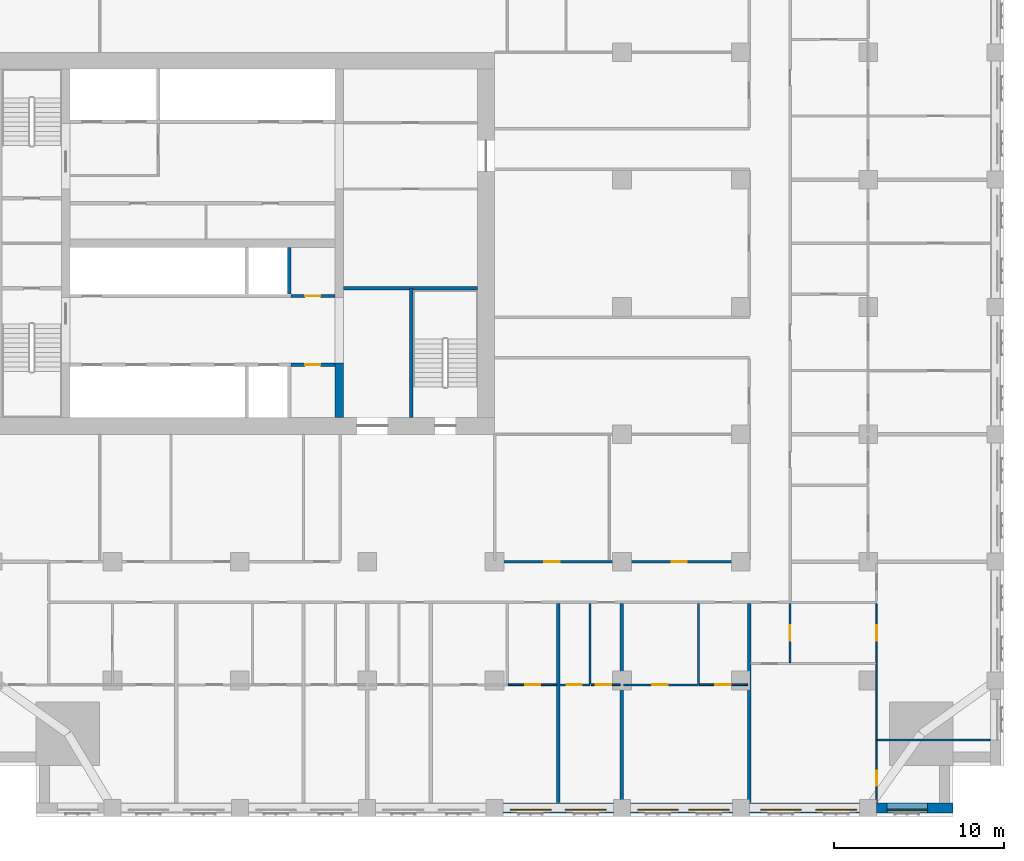
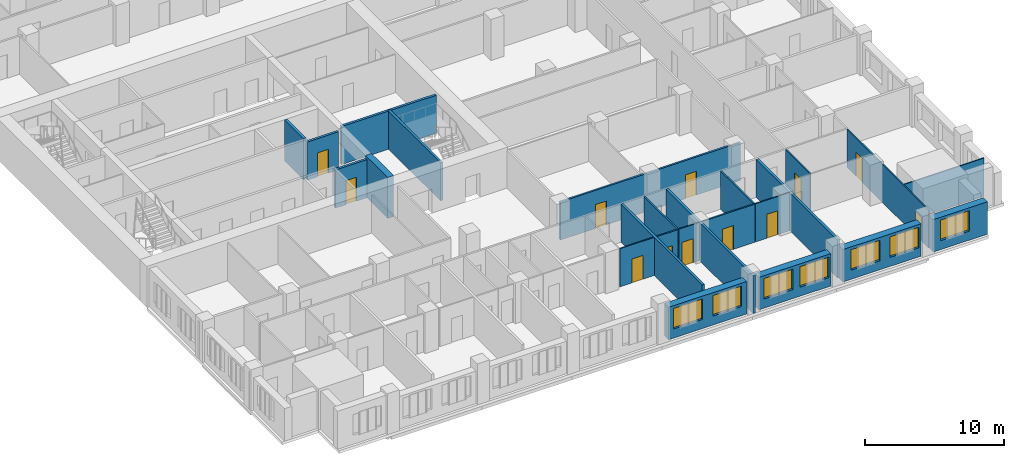
# One storey, part 6 of 14: 24 walls, 12 doors, 7 windows, 19 openings.
"""IFC4 building model written with IfcOpenShell, lengths in metres."""

from ifc_helpers import new_model, si_unit, direction, frame, frame_2d, origin, place, context, subcontext, project, spatial, rectangle, extrude, material, layer, layer_set, type_object, element, fill, save


model = new_model("IFC4")

# Units and contexts
model_context = context("Model", 3, precision=1e-05, world=origin(), true_north=direction((0.0, 1.0)))
body_context = subcontext(model_context, "Body", "Model", "MODEL_VIEW")
ifc_project = project(units=[si_unit("LENGTHUNIT", "METRE"), si_unit("AREAUNIT", "SQUARE_METRE"), si_unit("VOLUMEUNIT", "CUBIC_METRE"), si_unit("PLANEANGLEUNIT", "RADIAN"), si_unit("MASSUNIT", "GRAM", prefix="KILO")], contexts=[model_context])

# Site, building, storey
site_placement = place(None, origin())
site = spatial("IfcSite", under=ifc_project, at=site_placement, CompositionType="ELEMENT")
building_placement = place(site_placement, origin())
building = spatial("IfcBuilding", under=site, at=building_placement, Name="Tamorin Gate", CompositionType="ELEMENT")
storey_placement = place(building_placement, frame((0.0, 0.0, 89.89990234375)))
storey = spatial("IfcBuildingStorey", under=building, at=storey_placement, Name="L21", CompositionType="ELEMENT", Elevation=89.89990234375)

# Wall, openings, windows
ifc_material_1 = material(Name="Precast concrete C40/50", Category="concrete")
ifc_layer_1 = layer(ifc_material_1, 0.60009765625)
ifc_layer_set_1 = layer_set([ifc_layer_1], Name="Precast concrete C40/50")
wall_type_1 = type_object("IfcWallType", Name="Board-marked concrete facade panel 600", PredefinedType="SOLIDWALL", material=ifc_layer_set_1)
wall_1_placement = place(storey_placement, frame((60.5, 38.0, 0.0), z_axis=(0.0, 0.0, 1.0), x_axis=(1.0, 0.0, 0.0)))
wall_1 = element("IfcWall", 1, at=wall_1_placement, inside=storey, type_object=wall_type_1, Name="Facade panel", PredefinedType="SOLIDWALL", context=body_context, shape_type="SweptSolid", body=[
    extrude(rectangle(XDim=6.5, YDim=0.60009765625, at=frame_2d((3.25, 0.0))), origin(), (0.0, 0.0, 1.0), 2.85009765625),
])
opening_1_placement = place(wall_1_placement, frame((0.425048828125, 0.0, 0.800048828125)))
opening_1 = element("IfcOpeningElement", 2, at=opening_1_placement, cuts=wall_1, Name="Opening WN1", PredefinedType="OPENING", context=body_context, shape_type="SweptSolid", body=[
    extrude(rectangle(XDim=2.39990234375, YDim=1.800048828125, at=frame_2d((1.199951171875, 0.89990234375))), frame((0.0, 0.31005859375, 0.0), z_axis=(0.0, -1.0, 0.0), x_axis=(1.0, 0.0, 0.0)), (0.0, 0.0, 1.0), 0.6201171875),
])
opening_2_placement = place(wall_1_placement, frame((3.675048828125, 0.0, 0.800048828125)))
opening_2 = element("IfcOpeningElement", 3, at=opening_2_placement, cuts=wall_1, Name="Opening WN1", PredefinedType="OPENING", context=body_context, shape_type="SweptSolid", body=[
    extrude(rectangle(XDim=2.39990234375, YDim=1.800048828125, at=frame_2d((1.199951171875, 0.89990234375))), frame((0.0, 0.31005859375, 0.0), z_axis=(0.0, -1.0, 0.0), x_axis=(1.0, 0.0, 0.0)), (0.0, 0.0, 1.0), 0.6201171875),
])
ifc_material_2 = material(Name="Clear glass in aluminium frame", Category="aluminium")
window_type = type_object("IfcWindowType", Name="Deep-set window 2400x1800", PartitioningType="SINGLE_PANEL", PredefinedType="WINDOW", material=ifc_material_2)
window_1_placement = place(opening_1_placement, origin())
window_1 = element("IfcWindow", 4, at=window_1_placement, inside=storey, type_object=window_type, Name="Deep-set window", OverallHeight=1.800048828125, OverallWidth=2.39990234375, PartitioningType="SINGLE_PANEL", PredefinedType="WINDOW", context=body_context, shape_type="SweptSolid", body=[
    extrude(rectangle(XDim=2.39990234375, YDim=1.800048828125, at=frame_2d((1.199951171875, 0.89990234375))), frame((0.0, -0.070068359375, 0.0), z_axis=(0.0, -1.0, 0.0), x_axis=(1.0, 0.0, 0.0)), (0.0, 0.0, 1.0), 0.06005859375),
])
fill(opening_1, window_1)
window_2_placement = place(opening_2_placement, origin())
window_2 = element("IfcWindow", 5, at=window_2_placement, inside=storey, type_object=window_type, Name="Deep-set window", OverallHeight=1.800048828125, OverallWidth=2.39990234375, PartitioningType="SINGLE_PANEL", PredefinedType="WINDOW", context=body_context, shape_type="SweptSolid", body=[
    extrude(rectangle(XDim=2.39990234375, YDim=1.800048828125, at=frame_2d((1.199951171875, 0.89990234375))), frame((0.0, -0.070068359375, 0.0), z_axis=(0.0, -1.0, 0.0), x_axis=(1.0, 0.0, 0.0)), (0.0, 0.0, 1.0), 0.06005859375),
])
fill(opening_2, window_2)

wall_2_placement = place(storey_placement, frame((68.0, 38.0, 0.0), z_axis=(0.0, 0.0, 1.0), x_axis=(1.0, 0.0, 0.0)))
wall_2 = element("IfcWall", 6, at=wall_2_placement, inside=storey, type_object=wall_type_1, Name="Facade panel", PredefinedType="SOLIDWALL", context=body_context, shape_type="SweptSolid", body=[
    extrude(rectangle(XDim=6.0, YDim=0.60009765625, at=frame_2d((3.0, 0.0))), origin(), (0.0, 0.0, 1.0), 2.85009765625),
])
opening_3_placement = place(wall_2_placement, frame((0.425048828125, 0.0, 0.800048828125)))
opening_3 = element("IfcOpeningElement", 7, at=opening_3_placement, cuts=wall_2, Name="Opening WN1", PredefinedType="OPENING", context=body_context, shape_type="SweptSolid", body=[
    extrude(rectangle(XDim=2.39990234375, YDim=1.800048828125, at=frame_2d((1.199951171875, 0.89990234375))), frame((0.0, 0.31005859375, 0.0), z_axis=(0.0, -1.0, 0.0), x_axis=(1.0, 0.0, 0.0)), (0.0, 0.0, 1.0), 0.6201171875),
])
opening_4_placement = place(wall_2_placement, frame((3.425048828125, 0.0, 0.800048828125)))
opening_4 = element("IfcOpeningElement", 8, at=opening_4_placement, cuts=wall_2, Name="Opening WN1", PredefinedType="OPENING", context=body_context, shape_type="SweptSolid", body=[
    extrude(rectangle(XDim=2.39990234375, YDim=1.800048828125, at=frame_2d((1.199951171875, 0.89990234375))), frame((0.0, 0.31005859375, 0.0), z_axis=(0.0, -1.0, 0.0), x_axis=(1.0, 0.0, 0.0)), (0.0, 0.0, 1.0), 0.6201171875),
])
window_3_placement = place(opening_3_placement, origin())
window_3 = element("IfcWindow", 9, at=window_3_placement, inside=storey, type_object=window_type, Name="Deep-set window", OverallHeight=1.800048828125, OverallWidth=2.39990234375, PartitioningType="SINGLE_PANEL", PredefinedType="WINDOW", context=body_context, shape_type="SweptSolid", body=[
    extrude(rectangle(XDim=2.39990234375, YDim=1.800048828125, at=frame_2d((1.199951171875, 0.89990234375))), frame((0.0, -0.070068359375, 0.0), z_axis=(0.0, -1.0, 0.0), x_axis=(1.0, 0.0, 0.0)), (0.0, 0.0, 1.0), 0.06005859375),
])
fill(opening_3, window_3)
window_4_placement = place(opening_4_placement, origin())
window_4 = element("IfcWindow", 10, at=window_4_placement, inside=storey, type_object=window_type, Name="Deep-set window", OverallHeight=1.800048828125, OverallWidth=2.39990234375, PartitioningType="SINGLE_PANEL", PredefinedType="WINDOW", context=body_context, shape_type="SweptSolid", body=[
    extrude(rectangle(XDim=2.39990234375, YDim=1.800048828125, at=frame_2d((1.199951171875, 0.89990234375))), frame((0.0, -0.070068359375, 0.0), z_axis=(0.0, -1.0, 0.0), x_axis=(1.0, 0.0, 0.0)), (0.0, 0.0, 1.0), 0.06005859375),
])
fill(opening_4, window_4)

wall_3_placement = place(storey_placement, frame((75.0, 38.0, 0.0), z_axis=(0.0, 0.0, 1.0), x_axis=(1.0, 0.0, 0.0)))
wall_3 = element("IfcWall", 11, at=wall_3_placement, inside=storey, type_object=wall_type_1, Name="Facade panel", PredefinedType="SOLIDWALL", context=body_context, shape_type="SweptSolid", body=[
    extrude(rectangle(XDim=6.5, YDim=0.60009765625, at=frame_2d((3.25, 0.0))), origin(), (0.0, 0.0, 1.0), 2.85009765625),
])
opening_5_placement = place(wall_3_placement, frame((0.675048828125, 0.0, 0.800048828125)))
opening_5 = element("IfcOpeningElement", 12, at=opening_5_placement, cuts=wall_3, Name="Opening WN1", PredefinedType="OPENING", context=body_context, shape_type="SweptSolid", body=[
    extrude(rectangle(XDim=2.39990234375, YDim=1.800048828125, at=frame_2d((1.199951171875, 0.89990234375))), frame((0.0, 0.31005859375, 0.0), z_axis=(0.0, -1.0, 0.0), x_axis=(1.0, 0.0, 0.0)), (0.0, 0.0, 1.0), 0.6201171875),
])
opening_6_placement = place(wall_3_placement, frame((3.925048828125, 0.0, 0.800048828125)))
opening_6 = element("IfcOpeningElement", 13, at=opening_6_placement, cuts=wall_3, Name="Opening WN1", PredefinedType="OPENING", context=body_context, shape_type="SweptSolid", body=[
    extrude(rectangle(XDim=2.39990234375, YDim=1.800048828125, at=frame_2d((1.199951171875, 0.89990234375))), frame((0.0, 0.31005859375, 0.0), z_axis=(0.0, -1.0, 0.0), x_axis=(1.0, 0.0, 0.0)), (0.0, 0.0, 1.0), 0.6201171875),
])
window_5_placement = place(opening_5_placement, origin())
window_5 = element("IfcWindow", 14, at=window_5_placement, inside=storey, type_object=window_type, Name="Deep-set window", OverallHeight=1.800048828125, OverallWidth=2.39990234375, PartitioningType="SINGLE_PANEL", PredefinedType="WINDOW", context=body_context, shape_type="SweptSolid", body=[
    extrude(rectangle(XDim=2.39990234375, YDim=1.800048828125, at=frame_2d((1.199951171875, 0.89990234375))), frame((0.0, -0.070068359375, 0.0), z_axis=(0.0, -1.0, 0.0), x_axis=(1.0, 0.0, 0.0)), (0.0, 0.0, 1.0), 0.06005859375),
])
fill(opening_5, window_5)
window_6_placement = place(opening_6_placement, origin())
window_6 = element("IfcWindow", 15, at=window_6_placement, inside=storey, type_object=window_type, Name="Deep-set window", OverallHeight=1.800048828125, OverallWidth=2.39990234375, PartitioningType="SINGLE_PANEL", PredefinedType="WINDOW", context=body_context, shape_type="SweptSolid", body=[
    extrude(rectangle(XDim=2.39990234375, YDim=1.800048828125, at=frame_2d((1.199951171875, 0.89990234375))), frame((0.0, -0.070068359375, 0.0), z_axis=(0.0, -1.0, 0.0), x_axis=(1.0, 0.0, 0.0)), (0.0, 0.0, 1.0), 0.06005859375),
])
fill(opening_6, window_6)

# Wall, opening, window
wall_4_placement = place(storey_placement, frame((82.5, 38.0, 0.0), z_axis=(0.0, 0.0, 1.0), x_axis=(1.0, 0.0, 0.0)))
wall_4 = element("IfcWall", 16, at=wall_4_placement, inside=storey, type_object=wall_type_1, Name="Facade panel", PredefinedType="SOLIDWALL", context=body_context, shape_type="SweptSolid", body=[
    extrude(rectangle(XDim=4.5, YDim=0.60009765625, at=frame_2d((2.25, 0.0))), origin(), (0.0, 0.0, 1.0), 2.85009765625),
])
opening_7_placement = place(wall_4_placement, frame((0.60009765625, 0.0, 0.800048828125)))
opening_7 = element("IfcOpeningElement", 17, at=opening_7_placement, cuts=wall_4, Name="Opening WN1", PredefinedType="OPENING", context=body_context, shape_type="SweptSolid", body=[
    extrude(rectangle(XDim=2.39990234375, YDim=1.800048828125, at=frame_2d((1.199951171875, 0.89990234375))), frame((0.0, 0.31005859375, 0.0), z_axis=(0.0, -1.0, 0.0), x_axis=(1.0, 0.0, 0.0)), (0.0, 0.0, 1.0), 0.6201171875),
])
window_7_placement = place(opening_7_placement, origin())
window_7 = element("IfcWindow", 18, at=window_7_placement, inside=storey, type_object=window_type, Name="Deep-set window", OverallHeight=1.800048828125, OverallWidth=2.39990234375, PartitioningType="SINGLE_PANEL", PredefinedType="WINDOW", context=body_context, shape_type="SweptSolid", body=[
    extrude(rectangle(XDim=2.39990234375, YDim=1.800048828125, at=frame_2d((1.199951171875, 0.89990234375))), frame((0.0, -0.070068359375, 0.0), z_axis=(0.0, -1.0, 0.0), x_axis=(1.0, 0.0, 0.0)), (0.0, 0.0, 1.0), 0.06005859375),
])
fill(opening_7, window_7)

# Wall, openings, doors
ifc_material_3 = material(Name="Gypsum board partition")
ifc_layer_2 = layer(ifc_material_3, 0.14990234375)
ifc_layer_set_2 = layer_set([ifc_layer_2], Name="Corridor wall 150")
wall_type_2 = type_object("IfcWallType", Name="Corridor wall 150", PredefinedType="PARTITIONING", material=ifc_layer_set_2)
wall_5_placement = place(storey_placement, frame((60.0, 52.5, 0.0), z_axis=(0.0, 0.0, 1.0), x_axis=(1.0, 0.0, 0.0)))
wall_5 = element("IfcWall", 19, at=wall_5_placement, inside=storey, type_object=wall_type_2, Name="Corridor wall 150", PredefinedType="PARTITIONING", context=body_context, shape_type="SweptSolid", body=[
    extrude(rectangle(XDim=15.0, YDim=0.14990234375, at=frame_2d((7.5, 0.0))), origin(), (0.0, 0.0, 1.0), 3.35009765625),
])
opening_8_placement = place(wall_5_placement, frame((2.925048828125, 0.0, 0.0)))
opening_8 = element("IfcOpeningElement", 20, at=opening_8_placement, cuts=wall_5, Name="Opening DH8076", PredefinedType="OPENING", context=body_context, shape_type="SweptSolid", body=[
    extrude(rectangle(XDim=0.89990234375, YDim=2.10009765625, at=frame_2d((0.449951171875, 1.050048828125))), frame((0.0, 0.0849609375, 0.0), z_axis=(0.0, -1.0, 0.0), x_axis=(1.0, 0.0, 0.0)), (0.0, 0.0, 1.0), 0.169921875),
])
opening_9_placement = place(wall_5_placement, frame((10.425048828125, 0.0, 0.0)))
opening_9 = element("IfcOpeningElement", 21, at=opening_9_placement, cuts=wall_5, Name="Opening DH8077", PredefinedType="OPENING", context=body_context, shape_type="SweptSolid", body=[
    extrude(rectangle(XDim=0.89990234375, YDim=2.10009765625, at=frame_2d((0.449951171875, 1.050048828125))), frame((0.0, 0.0849609375, 0.0), z_axis=(0.0, -1.0, 0.0), x_axis=(1.0, 0.0, 0.0)), (0.0, 0.0, 1.0), 0.169921875),
])
ifc_material_4 = material(Name="Timber door leaf", Category="wood")
door_type_1 = type_object("IfcDoorType", Name="Door 900 x 2100 FD30S", OperationType="NOTDEFINED", PredefinedType="DOOR", material=ifc_material_4)
door_1_placement = place(opening_8_placement, origin())
door_1 = element("IfcDoor", 22, at=door_1_placement, inside=storey, type_object=door_type_1, Name="Door DH8076", OperationType="SINGLE_SWING_LEFT", OverallHeight=2.10009765625, OverallWidth=0.89990234375, PredefinedType="DOOR", context=body_context, shape_type="SweptSolid", body=[
    extrude(rectangle(XDim=0.89990234375, YDim=2.10009765625, at=frame_2d((0.449951171875, 1.050048828125))), frame((0.0, 0.02490234375, 0.0), z_axis=(0.0, -1.0, 0.0), x_axis=(1.0, 0.0, 0.0)), (0.0, 0.0, 1.0), 0.050048828125),
])
fill(opening_8, door_1)
door_2_placement = place(opening_9_placement, origin())
door_2 = element("IfcDoor", 23, at=door_2_placement, inside=storey, type_object=door_type_1, Name="Door DH8077", OperationType="SINGLE_SWING_LEFT", OverallHeight=2.10009765625, OverallWidth=0.89990234375, PredefinedType="DOOR", context=body_context, shape_type="SweptSolid", body=[
    extrude(rectangle(XDim=0.89990234375, YDim=2.10009765625, at=frame_2d((0.449951171875, 1.050048828125))), frame((0.0, 0.02490234375, 0.0), z_axis=(0.0, -1.0, 0.0), x_axis=(1.0, 0.0, 0.0)), (0.0, 0.0, 1.0), 0.050048828125),
])
fill(opening_9, door_2)

# Walls
ifc_layer_3 = layer(ifc_material_3, 0.199951171875)
ifc_layer_set_3 = layer_set([ifc_layer_3], Name="Demising wall 200")
wall_type_3 = type_object("IfcWallType", Name="Demising wall 200", PredefinedType="PARTITIONING", material=ifc_layer_set_3)
wall_6_placement = place(storey_placement, frame((63.75, 38.31005859375, 0.0), z_axis=(0.0, 0.0, 1.0), x_axis=(0.0, 1.0, 0.0)))
element("IfcWall", 24, at=wall_6_placement, inside=storey, type_object=wall_type_3, Name="Demising wall 200", PredefinedType="PARTITIONING", context=body_context, shape_type="SweptSolid", body=[
    extrude(rectangle(XDim=11.71484375, YDim=0.199951171875, at=frame_2d((5.857421875, 0.0))), origin(), (0.0, 0.0, 1.0), 3.35009765625),
])
wall_7_placement = place(storey_placement, frame((67.5, 37.5, 0.0), z_axis=(0.0, 0.0, 1.0), x_axis=(0.0, 1.0, 0.0)))
element("IfcWall", 25, at=wall_7_placement, inside=storey, type_object=wall_type_3, Name="Demising wall 200", PredefinedType="PARTITIONING", context=body_context, shape_type="SweptSolid", body=[
    extrude(rectangle(XDim=12.52490234375, YDim=0.199951171875, at=frame_2d((6.262451171875, 0.0))), origin(), (0.0, 0.0, 1.0), 3.35009765625),
])
wall_8_placement = place(storey_placement, frame((75.0, 38.31005859375, 0.0), z_axis=(0.0, 0.0, 1.0), x_axis=(0.0, 1.0, 0.0)))
element("IfcWall", 26, at=wall_8_placement, inside=storey, type_object=wall_type_3, Name="Demising wall 200", PredefinedType="PARTITIONING", context=body_context, shape_type="SweptSolid", body=[
    extrude(rectangle(XDim=11.71484375, YDim=0.199951171875, at=frame_2d((5.857421875, 0.0))), origin(), (0.0, 0.0, 1.0), 3.35009765625),
])
ifc_material_5 = material(Name="Concrete C32/40", Category="concrete")
ifc_layer_4 = layer(ifc_material_5, 0.199951171875)
ifc_layer_set_4 = layer_set([ifc_layer_4], Name="Lift shaft wall 200 EI 120")
wall_type_4 = type_object("IfcWallType", Name="Lift shaft wall 200 EI 120", PredefinedType="SOLIDWALL", material=ifc_layer_set_4)
wall_9_placement = place(storey_placement, frame((47.89990234375, 68.25, 0.0), z_axis=(0.0, 0.0, 1.0), x_axis=(0.0, 1.0, 0.0)))
element("IfcWall", 27, at=wall_9_placement, inside=storey, type_object=wall_type_4, Name="Lift shaft wall", PredefinedType="SOLIDWALL", context=body_context, shape_type="SweptSolid", body=[
    extrude(rectangle(XDim=2.75, YDim=0.199951171875, at=frame_2d((1.375, 0.0))), origin(), (0.0, 0.0, 1.0), 3.60009765625),
])
ifc_material_6 = material(Name="Concrete C80/95", Category="concrete")
ifc_layer_5 = layer(ifc_material_6, 0.5)
ifc_layer_set_5 = layer_set([ifc_layer_5], Name="RC core internal wall 500 C80/95")
wall_type_5 = type_object("IfcWallType", Name="RC core internal wall 500 C80/95", PredefinedType="SHEAR", material=ifc_layer_set_5)
wall_10_placement = place(storey_placement, frame((50.85009765625, 61.0, 0.0), z_axis=(0.0, 0.0, 1.0), x_axis=(0.0, 1.0, 0.0)))
element("IfcWall", 28, at=wall_10_placement, inside=storey, type_object=wall_type_5, Name="Core cross wall L21", PredefinedType="SHEAR", context=body_context, shape_type="SweptSolid", body=[
    extrude(rectangle(XDim=3.199951171875, YDim=0.5, at=frame_2d((1.60009765625, 0.0))), origin(), (0.0, 0.0, 1.0), 3.60009765625),
])
ifc_layer_6 = layer(ifc_material_3, 0.10009765625)
ifc_layer_set_6 = layer_set([ifc_layer_6], Name="Room partition 100")
wall_type_6 = type_object("IfcWallType", Name="Room partition 100", PredefinedType="PARTITIONING", material=ifc_layer_set_6)
wall_11_placement = place(storey_placement, frame((82.550048828125, 42.0, 0.0), z_axis=(0.0, 0.0, 1.0), x_axis=(1.0, 0.0, 0.0)))
element("IfcWall", 29, at=wall_11_placement, inside=storey, type_object=wall_type_6, Name="Room partition 100", PredefinedType="PARTITIONING", context=body_context, shape_type="SweptSolid", body=[
    extrude(rectangle(XDim=6.639892578125, YDim=0.10009765625, at=frame_2d((3.31982421875, 0.0))), origin(), (0.0, 0.0, 1.0), 3.35009765625),
])

# Wall, opening, door
wall_12_placement = place(storey_placement, frame((60.8125, 45.25, 0.0), z_axis=(0.0, 0.0, 1.0), x_axis=(1.0, 0.0, 0.0)))
wall_12 = element("IfcWall", 30, at=wall_12_placement, inside=storey, type_object=wall_type_6, Name="Room partition 100", PredefinedType="PARTITIONING", context=body_context, shape_type="SweptSolid", body=[
    extrude(rectangle(XDim=2.83740234375, YDim=0.10009765625, at=frame_2d((1.418701171875, 0.0))), origin(), (0.0, 0.0, 1.0), 3.35009765625),
])
opening_10_placement = place(wall_12_placement, frame((0.987548828125, 0.0, 0.0)))
opening_10 = element("IfcOpeningElement", 31, at=opening_10_placement, cuts=wall_12, Name="Opening DH8016", PredefinedType="OPENING", context=body_context, shape_type="SweptSolid", body=[
    extrude(rectangle(XDim=0.89990234375, YDim=2.10009765625, at=frame_2d((0.449951171875, 1.050048828125))), frame((0.0, 0.06005859375, 0.0), z_axis=(0.0, -1.0, 0.0), x_axis=(1.0, 0.0, 0.0)), (0.0, 0.0, 1.0), 0.1201171875),
])
door_type_2 = type_object("IfcDoorType", Name="Door 900 x 2100", OperationType="NOTDEFINED", PredefinedType="DOOR", material=ifc_material_4)
door_3_placement = place(opening_10_placement, origin())
door_3 = element("IfcDoor", 32, at=door_3_placement, inside=storey, type_object=door_type_2, Name="Door DH8016", OperationType="SINGLE_SWING_LEFT", OverallHeight=2.10009765625, OverallWidth=0.89990234375, PredefinedType="DOOR", context=body_context, shape_type="SweptSolid", body=[
    extrude(rectangle(XDim=0.89990234375, YDim=2.10009765625, at=frame_2d((0.449951171875, 1.050048828125))), frame((0.0, 0.02490234375, 0.0), z_axis=(0.0, -1.0, 0.0), x_axis=(1.0, 0.0, 0.0)), (0.0, 0.0, 1.0), 0.050048828125),
])
fill(opening_10, door_3)

wall_13_placement = place(storey_placement, frame((65.6875, 45.25, 0.0), z_axis=(0.0, 0.0, 1.0), x_axis=(1.0, 0.0, 0.0)))
wall_13 = element("IfcWall", 33, at=wall_13_placement, inside=storey, type_object=wall_type_6, Name="Room partition 100", PredefinedType="PARTITIONING", context=body_context, shape_type="SweptSolid", body=[
    extrude(rectangle(XDim=1.71240234375, YDim=0.10009765625, at=frame_2d((0.856201171875, 0.0))), origin(), (0.0, 0.0, 1.0), 3.35009765625),
])
opening_11_placement = place(wall_13_placement, frame((0.27490234375, 0.0, 0.0)))
opening_11 = element("IfcOpeningElement", 34, at=opening_11_placement, cuts=wall_13, Name="Opening DH8019", PredefinedType="OPENING", context=body_context, shape_type="SweptSolid", body=[
    extrude(rectangle(XDim=0.89990234375, YDim=2.10009765625, at=frame_2d((0.449951171875, 1.050048828125))), frame((0.0, 0.06005859375, 0.0), z_axis=(0.0, -1.0, 0.0), x_axis=(1.0, 0.0, 0.0)), (0.0, 0.0, 1.0), 0.1201171875),
])
door_4_placement = place(opening_11_placement, origin())
door_4 = element("IfcDoor", 35, at=door_4_placement, inside=storey, type_object=door_type_2, Name="Door DH8019", OperationType="SINGLE_SWING_LEFT", OverallHeight=2.10009765625, OverallWidth=0.89990234375, PredefinedType="DOOR", context=body_context, shape_type="SweptSolid", body=[
    extrude(rectangle(XDim=0.89990234375, YDim=2.10009765625, at=frame_2d((0.449951171875, 1.050048828125))), frame((0.0, 0.02490234375, 0.0), z_axis=(0.0, -1.0, 0.0), x_axis=(1.0, 0.0, 0.0)), (0.0, 0.0, 1.0), 0.050048828125),
])
fill(opening_11, door_4)

wall_14_placement = place(storey_placement, frame((72.0625, 45.25, 0.0), z_axis=(0.0, 0.0, 1.0), x_axis=(1.0, 0.0, 0.0)))
wall_14 = element("IfcWall", 36, at=wall_14_placement, inside=storey, type_object=wall_type_6, Name="Room partition 100", PredefinedType="PARTITIONING", context=body_context, shape_type="SweptSolid", body=[
    extrude(rectangle(XDim=2.83740234375, YDim=0.10009765625, at=frame_2d((1.418701171875, 0.0))), origin(), (0.0, 0.0, 1.0), 3.35009765625),
])
opening_12_placement = place(wall_14_placement, frame((0.9375, 0.0, 0.0)))
opening_12 = element("IfcOpeningElement", 37, at=opening_12_placement, cuts=wall_14, Name="Opening DH8022", PredefinedType="OPENING", context=body_context, shape_type="SweptSolid", body=[
    extrude(rectangle(XDim=0.89990234375, YDim=2.10009765625, at=frame_2d((0.449951171875, 1.050048828125))), frame((0.0, 0.06005859375, 0.0), z_axis=(0.0, -1.0, 0.0), x_axis=(1.0, 0.0, 0.0)), (0.0, 0.0, 1.0), 0.1201171875),
])
door_5_placement = place(opening_12_placement, origin())
door_5 = element("IfcDoor", 38, at=door_5_placement, inside=storey, type_object=door_type_2, Name="Door DH8022", OperationType="SINGLE_SWING_LEFT", OverallHeight=2.10009765625, OverallWidth=0.89990234375, PredefinedType="DOOR", context=body_context, shape_type="SweptSolid", body=[
    extrude(rectangle(XDim=0.89990234375, YDim=2.10009765625, at=frame_2d((0.449951171875, 1.050048828125))), frame((0.0, 0.02490234375, 0.0), z_axis=(0.0, -1.0, 0.0), x_axis=(1.0, 0.0, 0.0)), (0.0, 0.0, 1.0), 0.050048828125),
])
fill(opening_12, door_5)

wall_15_placement = place(storey_placement, frame((77.39990234375, 46.550048828125, 0.0), z_axis=(0.0, 0.0, 1.0), x_axis=(0.0, 1.0, 0.0)))
wall_15 = element("IfcWall", 39, at=wall_15_placement, inside=storey, type_object=wall_type_6, Name="Room partition 100", PredefinedType="PARTITIONING", context=body_context, shape_type="SweptSolid", body=[
    extrude(rectangle(XDim=3.474853515625, YDim=0.10009765625, at=frame_2d((1.7373046875, 0.0))), origin(), (0.0, 0.0, 1.0), 3.35009765625),
])
opening_13_placement = place(wall_15_placement, frame((1.300048828125, 0.0, 0.0)))
opening_13 = element("IfcOpeningElement", 40, at=opening_13_placement, cuts=wall_15, Name="Opening DH8062", PredefinedType="OPENING", context=body_context, shape_type="SweptSolid", body=[
    extrude(rectangle(XDim=0.89990234375, YDim=2.10009765625, at=frame_2d((0.449951171875, 1.050048828125))), frame((0.0, 0.06005859375, 0.0), z_axis=(0.0, -1.0, 0.0), x_axis=(1.0, 0.0, 0.0)), (0.0, 0.0, 1.0), 0.1201171875),
])
door_6_placement = place(opening_13_placement, origin())
door_6 = element("IfcDoor", 41, at=door_6_placement, inside=storey, type_object=door_type_2, Name="Door DH8062", OperationType="SINGLE_SWING_RIGHT", OverallHeight=2.10009765625, OverallWidth=0.89990234375, PredefinedType="DOOR", context=body_context, shape_type="SweptSolid", body=[
    extrude(rectangle(XDim=0.89990234375, YDim=2.10009765625, at=frame_2d((0.449951171875, 1.050048828125))), frame((0.0, 0.02490234375, 0.0), z_axis=(0.0, -1.0, 0.0), x_axis=(1.0, 0.0, 0.0)), (0.0, 0.0, 1.0), 0.050048828125),
])
fill(opening_13, door_6)

# Wall, openings, doors
wall_16_placement = place(storey_placement, frame((82.5, 38.31005859375, 0.0), z_axis=(0.0, 0.0, 1.0), x_axis=(0.0, 1.0, 0.0)))
wall_16 = element("IfcWall", 42, at=wall_16_placement, inside=storey, type_object=wall_type_6, Name="Room partition 100", PredefinedType="PARTITIONING", context=body_context, shape_type="SweptSolid", body=[
    extrude(rectangle(XDim=11.7275390625, YDim=0.10009765625, at=frame_2d((5.86376953125, 0.0))), origin(), (0.0, 0.0, 1.0), 3.35009765625),
])
opening_14_placement = place(wall_16_placement, frame((0.989990234375, 0.0, 0.0)))
opening_14 = element("IfcOpeningElement", 43, at=opening_14_placement, cuts=wall_16, Name="Opening DH8063", PredefinedType="OPENING", context=body_context, shape_type="SweptSolid", body=[
    extrude(rectangle(XDim=0.89990234375, YDim=2.10009765625, at=frame_2d((0.449951171875, 1.050048828125))), frame((0.0, 0.06005859375, 0.0), z_axis=(0.0, -1.0, 0.0), x_axis=(1.0, 0.0, 0.0)), (0.0, 0.0, 1.0), 0.1201171875),
])
opening_15_placement = place(wall_16_placement, frame((9.5400390625, 0.0, 0.0)))
opening_15 = element("IfcOpeningElement", 44, at=opening_15_placement, cuts=wall_16, Name="Opening DH8064", PredefinedType="OPENING", context=body_context, shape_type="SweptSolid", body=[
    extrude(rectangle(XDim=0.89990234375, YDim=2.10009765625, at=frame_2d((0.449951171875, 1.050048828125))), frame((0.0, 0.06005859375, 0.0), z_axis=(0.0, -1.0, 0.0), x_axis=(1.0, 0.0, 0.0)), (0.0, 0.0, 1.0), 0.1201171875),
])
door_7_placement = place(opening_14_placement, origin())
door_7 = element("IfcDoor", 45, at=door_7_placement, inside=storey, type_object=door_type_2, Name="Door DH8063", OperationType="SINGLE_SWING_LEFT", OverallHeight=2.10009765625, OverallWidth=0.89990234375, PredefinedType="DOOR", context=body_context, shape_type="SweptSolid", body=[
    extrude(rectangle(XDim=0.89990234375, YDim=2.10009765625, at=frame_2d((0.449951171875, 1.050048828125))), frame((0.0, 0.02490234375, 0.0), z_axis=(0.0, -1.0, 0.0), x_axis=(1.0, 0.0, 0.0)), (0.0, 0.0, 1.0), 0.050048828125),
])
fill(opening_14, door_7)
door_8_placement = place(opening_15_placement, origin())
door_8 = element("IfcDoor", 46, at=door_8_placement, inside=storey, type_object=door_type_2, Name="Door DH8064", OperationType="SINGLE_SWING_RIGHT", OverallHeight=2.10009765625, OverallWidth=0.89990234375, PredefinedType="DOOR", context=body_context, shape_type="SweptSolid", body=[
    extrude(rectangle(XDim=0.89990234375, YDim=2.10009765625, at=frame_2d((0.449951171875, 1.050048828125))), frame((0.0, 0.02490234375, 0.0), z_axis=(0.0, -1.0, 0.0), x_axis=(1.0, 0.0, 0.0)), (0.0, 0.0, 1.0), 0.050048828125),
])
fill(opening_15, door_8)

# Wall, opening, door
ifc_layer_7 = layer(ifc_material_3, 0.199951171875)
ifc_layer_set_7 = layer_set([ifc_layer_7], Name="Service room face wall 200 EI 60")
wall_type_7 = type_object("IfcWallType", Name="Service room face wall 200 EI 60", PredefinedType="PARTITIONING", material=ifc_layer_set_7)
wall_17_placement = place(storey_placement, frame((48.0, 64.10009765625, 0.0), z_axis=(0.0, 0.0, 1.0), x_axis=(1.0, 0.0, 0.0)))
wall_17 = element("IfcWall", 47, at=wall_17_placement, inside=storey, type_object=wall_type_7, Name="Service room face wall", PredefinedType="PARTITIONING", context=body_context, shape_type="SweptSolid", body=[
    extrude(rectangle(XDim=2.60009765625, YDim=0.199951171875, at=frame_2d((1.300048828125, 0.0))), origin(), (0.0, 0.0, 1.0), 3.35009765625),
])
opening_16_placement = place(wall_17_placement, frame((0.85009765625, 0.0, 0.0)))
opening_16 = element("IfcOpeningElement", 48, at=opening_16_placement, cuts=wall_17, Name="Opening DK1", PredefinedType="OPENING", context=body_context, shape_type="SweptSolid", body=[
    extrude(rectangle(XDim=0.89990234375, YDim=2.10009765625, at=frame_2d((0.449951171875, 1.050048828125))), frame((0.0, 0.10986328125, 0.0), z_axis=(0.0, -1.0, 0.0), x_axis=(1.0, 0.0, 0.0)), (0.0, 0.0, 1.0), 0.219970703125),
])
ifc_material_7 = material(Name="Timber fire door", Category="wood")
door_type_3 = type_object("IfcDoorType", Name="Service room door 900 x 2100 EI 60", OperationType="SINGLE_SWING_LEFT", PredefinedType="DOOR", material=ifc_material_7)
door_9_placement = place(opening_16_placement, origin())
door_9 = element("IfcDoor", 49, at=door_9_placement, inside=storey, type_object=door_type_3, Name="Door Housekeeping store", OperationType="SINGLE_SWING_LEFT", OverallHeight=2.10009765625, OverallWidth=0.89990234375, PredefinedType="DOOR", context=body_context, shape_type="SweptSolid", body=[
    extrude(rectangle(XDim=0.89990234375, YDim=2.10009765625, at=frame_2d((0.449951171875, 1.050048828125))), frame((0.0, 0.02490234375, 0.0), z_axis=(0.0, -1.0, 0.0), x_axis=(1.0, 0.0, 0.0)), (0.0, 0.0, 1.0), 0.050048828125),
])
fill(opening_16, door_9)

wall_18_placement = place(storey_placement, frame((48.0, 68.14990234375, 0.0), z_axis=(0.0, 0.0, 1.0), x_axis=(1.0, 0.0, 0.0)))
wall_18 = element("IfcWall", 50, at=wall_18_placement, inside=storey, type_object=wall_type_7, Name="Service room face wall", PredefinedType="PARTITIONING", context=body_context, shape_type="SweptSolid", body=[
    extrude(rectangle(XDim=2.60009765625, YDim=0.199951171875, at=frame_2d((1.300048828125, 0.0))), origin(), (0.0, 0.0, 1.0), 3.35009765625),
])
opening_17_placement = place(wall_18_placement, frame((0.85009765625, 0.0, 0.0)))
opening_17 = element("IfcOpeningElement", 51, at=opening_17_placement, cuts=wall_18, Name="Opening DK1", PredefinedType="OPENING", context=body_context, shape_type="SweptSolid", body=[
    extrude(rectangle(XDim=0.89990234375, YDim=2.10009765625, at=frame_2d((0.449951171875, 1.050048828125))), frame((0.0, 0.10986328125, 0.0), z_axis=(0.0, -1.0, 0.0), x_axis=(1.0, 0.0, 0.0)), (0.0, 0.0, 1.0), 0.219970703125),
])
door_10_placement = place(opening_17_placement, origin())
door_10 = element("IfcDoor", 52, at=door_10_placement, inside=storey, type_object=door_type_3, Name="Door Linen store", OperationType="SINGLE_SWING_LEFT", OverallHeight=2.10009765625, OverallWidth=0.89990234375, PredefinedType="DOOR", context=body_context, shape_type="SweptSolid", body=[
    extrude(rectangle(XDim=0.89990234375, YDim=2.10009765625, at=frame_2d((0.449951171875, 1.050048828125))), frame((0.0, 0.02490234375, 0.0), z_axis=(0.0, -1.0, 0.0), x_axis=(1.0, 0.0, 0.0)), (0.0, 0.0, 1.0), 0.050048828125),
])
fill(opening_17, door_10)

# Walls
ifc_material_8 = material(Name="Concrete C40/50", Category="concrete")
ifc_layer_8 = layer(ifc_material_8, 0.199951171875)
ifc_layer_set_8 = layer_set([ifc_layer_8], Name="Stair enclosure wall 200 EI 120 C40/50")
wall_type_8 = type_object("IfcWallType", Name="Stair enclosure wall 200 EI 120 C40/50", PredefinedType="SOLIDWALL", material=ifc_layer_set_8)
wall_19_placement = place(storey_placement, frame((55.10009765625, 61.0, 0.0), z_axis=(0.0, 0.0, 1.0), x_axis=(0.0, 1.0, 0.0)))
element("IfcWall", 53, at=wall_19_placement, inside=storey, type_object=wall_type_8, Name="Stair enclosure wall", PredefinedType="SOLIDWALL", context=body_context, shape_type="SweptSolid", body=[
    extrude(rectangle(XDim=7.60009765625, YDim=0.199951171875, at=frame_2d((3.800048828125, 0.0))), origin(), (0.0, 0.0, 1.0), 3.35009765625),
])
wall_20_placement = place(storey_placement, frame((51.10009765625, 68.60009765625, 0.0), z_axis=(0.0, 0.0, 1.0), x_axis=(1.0, 0.0, 0.0)))
element("IfcWall", 54, at=wall_20_placement, inside=storey, type_object=wall_type_8, Name="Stair enclosure wall", PredefinedType="SOLIDWALL", context=body_context, shape_type="SweptSolid", body=[
    extrude(rectangle(XDim=7.89990234375, YDim=0.199951171875, at=frame_2d((3.949951171875, 0.0))), origin(), (0.0, 0.0, 1.0), 3.35009765625),
])

# Wall, opening, door
ifc_layer_9 = layer(ifc_material_3, 0.125)
ifc_layer_set_9 = layer_set([ifc_layer_9], Name="Wet wall 125")
wall_type_9 = type_object("IfcWallType", Name="Wet wall 125", PredefinedType="PARTITIONING", material=ifc_layer_set_9)
wall_21_placement = place(storey_placement, frame((63.85009765625, 45.25, 0.0), z_axis=(0.0, 0.0, 1.0), x_axis=(1.0, 0.0, 0.0)))
wall_21 = element("IfcWall", 55, at=wall_21_placement, inside=storey, type_object=wall_type_9, Name="Wet wall 125", PredefinedType="PARTITIONING", context=body_context, shape_type="SweptSolid", body=[
    extrude(rectangle(XDim=1.77490234375, YDim=0.125, at=frame_2d((0.887451171875, 0.0))), origin(), (0.0, 0.0, 1.0), 3.35009765625),
])
opening_18_placement = place(wall_21_placement, frame((0.387451171875, 0.0, 0.0)))
opening_18 = element("IfcOpeningElement", 56, at=opening_18_placement, cuts=wall_21, Name="Opening DH8017", PredefinedType="OPENING", context=body_context, shape_type="SweptSolid", body=[
    extrude(rectangle(XDim=0.89990234375, YDim=2.10009765625, at=frame_2d((0.449951171875, 1.050048828125))), frame((0.0, 0.072509765625, 0.0), z_axis=(0.0, -1.0, 0.0), x_axis=(1.0, 0.0, 0.0)), (0.0, 0.0, 1.0), 0.14501953125),
])
door_11_placement = place(opening_18_placement, origin())
door_11 = element("IfcDoor", 57, at=door_11_placement, inside=storey, type_object=door_type_2, Name="Door DH8017", OperationType="SINGLE_SWING_LEFT", OverallHeight=2.10009765625, OverallWidth=0.89990234375, PredefinedType="DOOR", context=body_context, shape_type="SweptSolid", body=[
    extrude(rectangle(XDim=0.89990234375, YDim=2.10009765625, at=frame_2d((0.449951171875, 1.050048828125))), frame((0.0, 0.02490234375, 0.0), z_axis=(0.0, -1.0, 0.0), x_axis=(1.0, 0.0, 0.0)), (0.0, 0.0, 1.0), 0.050048828125),
])
fill(opening_18, door_11)

wall_22_placement = place(storey_placement, frame((67.60009765625, 45.25, 0.0), z_axis=(0.0, 0.0, 1.0), x_axis=(1.0, 0.0, 0.0)))
wall_22 = element("IfcWall", 58, at=wall_22_placement, inside=storey, type_object=wall_type_9, Name="Wet wall 125", PredefinedType="PARTITIONING", context=body_context, shape_type="SweptSolid", body=[
    extrude(rectangle(XDim=4.39990234375, YDim=0.125, at=frame_2d((2.199951171875, 0.0))), origin(), (0.0, 0.0, 1.0), 3.35009765625),
])
opening_19_placement = place(wall_22_placement, frame((1.699951171875, 0.0, 0.0)))
opening_19 = element("IfcOpeningElement", 59, at=opening_19_placement, cuts=wall_22, Name="Opening DH8020", PredefinedType="OPENING", context=body_context, shape_type="SweptSolid", body=[
    extrude(rectangle(XDim=0.89990234375, YDim=2.10009765625, at=frame_2d((0.449951171875, 1.050048828125))), frame((0.0, 0.072509765625, 0.0), z_axis=(0.0, -1.0, 0.0), x_axis=(1.0, 0.0, 0.0)), (0.0, 0.0, 1.0), 0.14501953125),
])
door_12_placement = place(opening_19_placement, origin())
door_12 = element("IfcDoor", 60, at=door_12_placement, inside=storey, type_object=door_type_2, Name="Door DH8020", OperationType="SINGLE_SWING_LEFT", OverallHeight=2.10009765625, OverallWidth=0.89990234375, PredefinedType="DOOR", context=body_context, shape_type="SweptSolid", body=[
    extrude(rectangle(XDim=0.89990234375, YDim=2.10009765625, at=frame_2d((0.449951171875, 1.050048828125))), frame((0.0, 0.02490234375, 0.0), z_axis=(0.0, -1.0, 0.0), x_axis=(1.0, 0.0, 0.0)), (0.0, 0.0, 1.0), 0.050048828125),
])
fill(opening_19, door_12)

# Walls
for number, where, z_axis, x_axis, name in (
    (61, (65.625, 45.3125, 0.0), (0.0, 0.0, 1.0), (0.0, 1.0, 0.0), "Wet wall 125"),
    (62, (72.0, 45.3125, 0.0), (0.0, 0.0, 1.0), (0.0, 1.0, 0.0), "Wet wall 125"),
):
    element("IfcWall", number, at=place(storey_placement, frame(where, z_axis=z_axis, x_axis=x_axis)), inside=storey, type_object=wall_type_9, Name=name, PredefinedType="PARTITIONING", context=body_context, shape_type="SweptSolid", body=[
        extrude(rectangle(XDim=4.71240234375, YDim=0.125, at=frame_2d((2.356201171875, 0.0))), origin(), (0.0, 0.0, 1.0), 3.35009765625),
    ])

save(model, "model.ifc")
